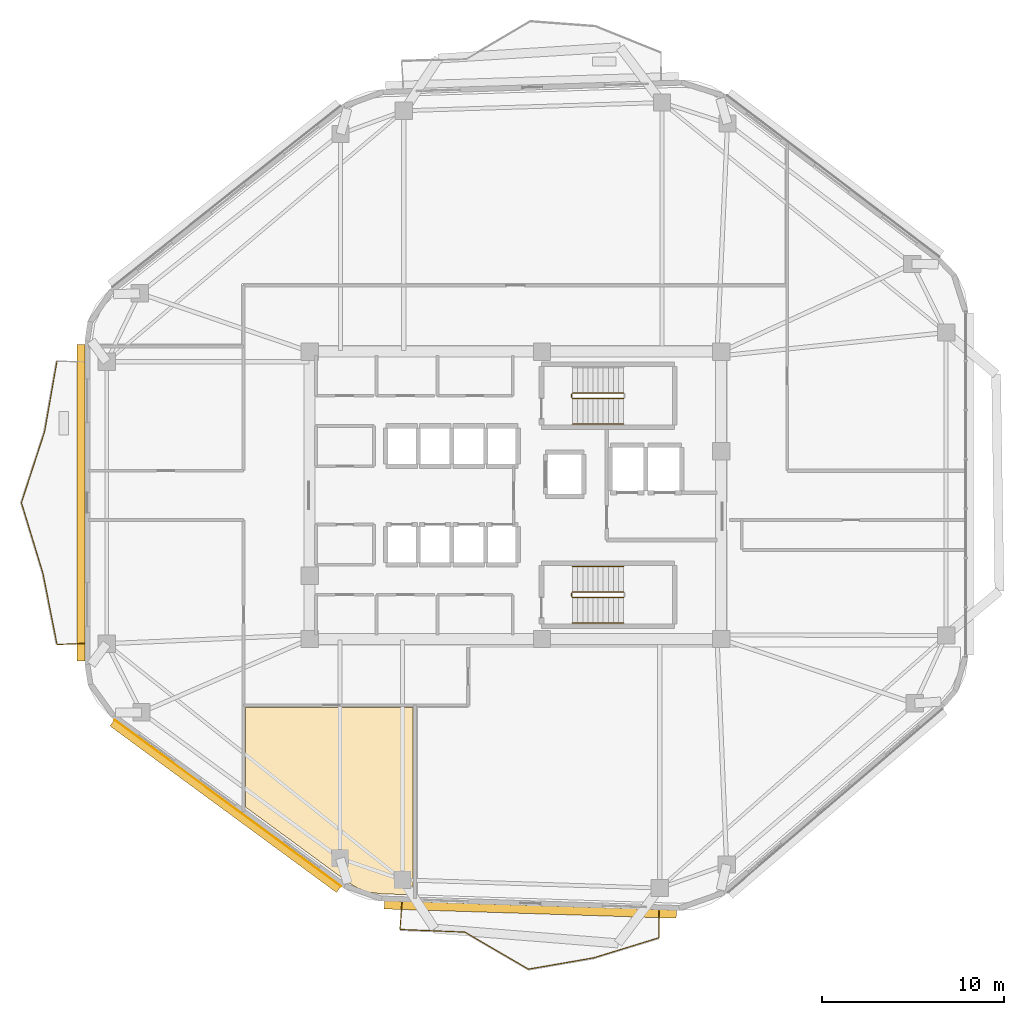
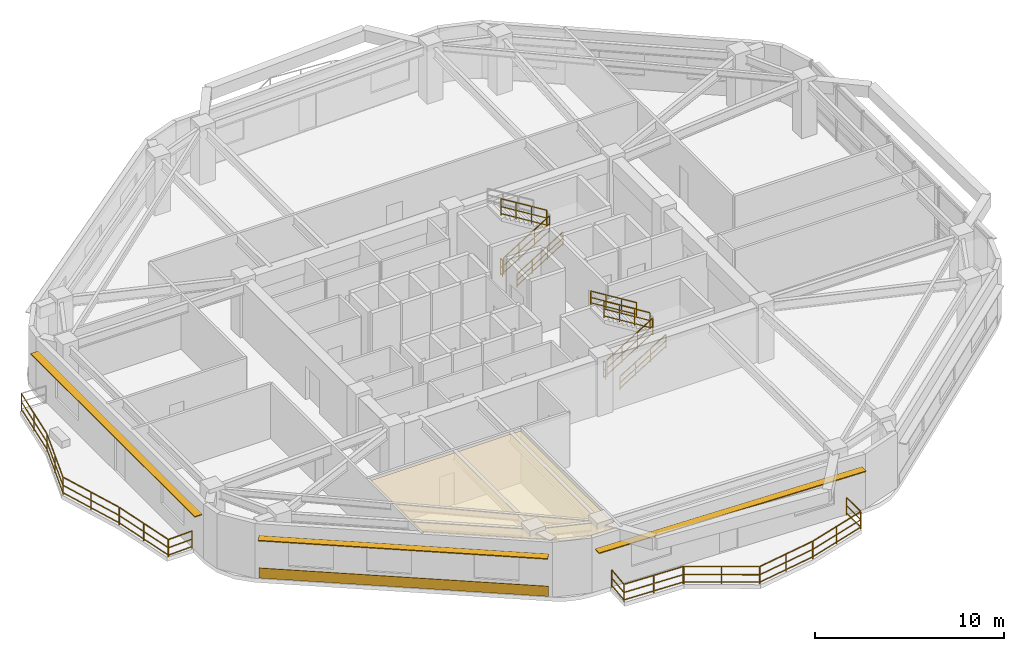
# One storey, part 12 of 14: 20 railings, 3 shading devices, 2 coverings.
"""IFC4 building model written with IfcOpenShell, lengths in metres."""

from ifc_helpers import new_model, si_unit, direction, frame, origin, origin_2d, place, context, subcontext, project, spatial, polyline, rectangle, outline, extrude, material, layer, layer_set, type_object, element, save


model = new_model("IFC4")

# Units and contexts
model_context = context("Model", 3, precision=1e-05, world=origin(), true_north=direction((0.0, 1.0)))
body_context = subcontext(model_context, "Body", "Model", "MODEL_VIEW")
ifc_project = project(units=[si_unit("LENGTHUNIT", "METRE"), si_unit("AREAUNIT", "SQUARE_METRE"), si_unit("VOLUMEUNIT", "CUBIC_METRE"), si_unit("PLANEANGLEUNIT", "RADIAN"), si_unit("MASSUNIT", "GRAM", prefix="KILO")], contexts=[model_context])

# Site, building, storey
site_placement = place(None, origin())
site = spatial("IfcSite", under=ifc_project, at=site_placement, CompositionType="ELEMENT")
building_placement = place(site_placement, origin())
building = spatial("IfcBuilding", under=site, at=building_placement, Name="Zulverin Broadcast Headquarters", CompositionType="ELEMENT")
storey_placement = place(building_placement, frame((0.0, 0.0, 178.199951171875)))
storey = spatial("IfcBuildingStorey", under=building, at=storey_placement, Name="L45", CompositionType="ELEMENT", Elevation=178.199951171875)

# Coverings
ifc_material_1 = material(Name="Perforated pale-metal acoustic baffle ceiling", Category="aluminium")
ifc_layer_1 = layer(ifc_material_1, 0.0400390625, Name="Perforated pale-metal acoustic baffle ceiling", Category="aluminium")
ifc_layer_set_1 = layer_set([ifc_layer_1], Name="Perforated pale-metal acoustic baffle ceiling")
covering_type_1 = type_object("IfcCoveringType", Name="COV-CEIL-ACOU", PredefinedType="CEILING", material=ifc_layer_set_1)
covering_1_placement = place(storey_placement, frame((0.0, 0.0, 3.360107421875)))
element("IfcCovering", 1, at=covering_1_placement, inside=storey, type_object=covering_type_1, Name="L45 Acoustic Baffle Ceiling 02", PredefinedType="CEILING", context=body_context, shape_type="SweptSolid", body=[
    extrude(outline(polyline([(28.39599609375, 3.659912109375), (29.0, 3.447998046875), (29.652099609375, 3.364013671875), (31.3798828125, 3.30810546875), (31.3798828125, 13.580078125), (22.219970703125, 13.580078125), (22.219970703125, 8.112060546875), (27.823974609375, 3.99609375), (28.39599609375, 3.659912109375)])), origin(), (0.0, 0.0, 1.0), 0.0400390625),
])
ifc_material_2 = material(Name="Brushed pale-aluminium rainscreen cladding", Category="aluminium")
ifc_layer_2 = layer(ifc_material_2, 0.0400390625, Name="Brushed pale-aluminium rainscreen cladding", Category="aluminium")
ifc_layer_set_2 = layer_set([ifc_layer_2], Name="Brushed pale-aluminium rainscreen cladding")
covering_type_2 = type_object("IfcCoveringType", Name="COV-CLAD-PALE", PredefinedType="CLADDING", material=ifc_layer_set_2)
covering_2_placement = place(storey_placement, frame((21.229736328125, 8.33349609375, 0.05517578125), z_axis=(0.0, 0.0, 1.0), x_axis=(0.805802206513, -0.592184771822, 0.0)))
element("IfcCovering", 2, at=covering_2_placement, inside=storey, type_object=covering_type_2, Name="L45 Brushed Pale-Aluminium Spandrel Cladding 8", PredefinedType="CLADDING", context=body_context, shape_type="SweptSolid", body=[
    extrude(rectangle(XDim=15.404541015625, YDim=0.0400390625, at=origin_2d()), origin(), (0.0, 0.0, 1.0), 0.64990234375),
])

# Railings
ifc_material_3 = material(Name="Brushed stainless steel & laminated glass balustrade", Category="steel")
railing_type_1 = type_object("IfcRailingType", Name="RL-GUARD-1150", PredefinedType="GUARDRAIL", material=ifc_material_3)
railing_1_placement = place(storey_placement, frame((11.87744140625, 32.558349609375, 0.0)))
element("IfcRailing", 3, at=railing_1_placement, inside=storey, type_object=railing_type_1, Name="L45 Vertical-Forest Balcony Guardrail BAL_W Segment 02", PredefinedType="GUARDRAIL", context=body_context, shape_type="SweptSolid", body=[
    extrude(rectangle(XDim=0.048095703125, YDim=0.048095703125, at=origin_2d()), frame((0.0, 0.0, 1.1259765625), z_axis=(-0.17295328908, -0.984930027868, 0.0), x_axis=(0.984930027868, -0.17295328908, 0.0)), (0.0, 0.0, 1.0), 3.917236328125),
    extrude(rectangle(XDim=0.0419921875, YDim=0.0419921875, at=origin_2d()), frame((0.0, 0.0, 0.597900390625), z_axis=(-0.17295328908, -0.984930027868, 0.0), x_axis=(0.984930027868, -0.17295328908, 0.0)), (0.0, 0.0, 1.0), 3.917236328125),
    extrude(rectangle(XDim=0.0419921875, YDim=0.0419921875, at=origin_2d()), frame((0.0, 0.0, 0.1201171875), z_axis=(-0.17295328908, -0.984930027868, 0.0), x_axis=(0.984930027868, -0.17295328908, 0.0)), (0.0, 0.0, 1.0), 3.917236328125),
    extrude(rectangle(XDim=0.0419921875, YDim=0.0419921875, at=origin_2d()), origin(), (0.0, 0.0, 1.0), 1.101806640625),
    extrude(rectangle(XDim=0.0419921875, YDim=0.0419921875, at=origin_2d()), frame((-0.3388671875, -1.92919921875, 0.0)), (0.0, 0.0, 1.0), 1.101806640625),
    extrude(rectangle(XDim=0.0419921875, YDim=0.0419921875, at=origin_2d()), frame((-0.677490234375, -3.858154296875, 0.0)), (0.0, 0.0, 1.0), 1.101806640625),
])
railing_2_placement = place(storey_placement, frame((11.192626953125, 28.671142578125, 0.0)))
element("IfcRailing", 4, at=railing_2_placement, inside=storey, type_object=railing_type_1, Name="L45 Vertical-Forest Balcony Guardrail BAL_W Segment 03", PredefinedType="GUARDRAIL", context=body_context, shape_type="SweptSolid", body=[
    extrude(rectangle(XDim=0.048095703125, YDim=0.048095703125, at=origin_2d()), frame((0.0, 0.0, 1.1259765625), z_axis=(-0.30994141234, -0.950755657841, 0.0), x_axis=(0.950755657841, -0.30994141234, 0.0)), (0.0, 0.0, 1.0), 4.05908203125),
    extrude(rectangle(XDim=0.0419921875, YDim=0.0419921875, at=origin_2d()), frame((0.0, 0.0, 0.597900390625), z_axis=(-0.30994141234, -0.950755657841, 0.0), x_axis=(0.950755657841, -0.30994141234, 0.0)), (0.0, 0.0, 1.0), 4.05908203125),
    extrude(rectangle(XDim=0.0419921875, YDim=0.0419921875, at=origin_2d()), frame((0.0, 0.0, 0.1201171875), z_axis=(-0.30994141234, -0.950755657841, 0.0), x_axis=(0.950755657841, -0.30994141234, 0.0)), (0.0, 0.0, 1.0), 4.05908203125),
    extrude(rectangle(XDim=0.0419921875, YDim=0.0419921875, at=origin_2d()), origin(), (0.0, 0.0, 1.0), 1.101806640625),
    extrude(rectangle(XDim=0.0419921875, YDim=0.0419921875, at=origin_2d()), frame((-0.62890625, -1.9296875, 0.0)), (0.0, 0.0, 1.0), 1.101806640625),
    extrude(rectangle(XDim=0.0419921875, YDim=0.0419921875, at=origin_2d()), frame((-1.258056640625, -3.859130859375, 0.0)), (0.0, 0.0, 1.0), 1.101806640625),
])
railing_3_placement = place(storey_placement, frame((9.934326171875, 24.783203125, 0.0)))
element("IfcRailing", 5, at=railing_3_placement, inside=storey, type_object=railing_type_1, Name="L45 Vertical-Forest Balcony Guardrail BAL_W Segment 04", PredefinedType="GUARDRAIL", context=body_context, shape_type="SweptSolid", body=[
    extrude(rectangle(XDim=0.048095703125, YDim=0.048095703125, at=origin_2d()), frame((0.0, 0.0, 1.1259765625), z_axis=(0.291115856675, -0.956687805918, 0.0), x_axis=(0.956687805918, 0.291115856675, 0.0)), (0.0, 0.0, 1.0), 4.033935546875),
    extrude(rectangle(XDim=0.0419921875, YDim=0.0419921875, at=origin_2d()), frame((0.0, 0.0, 0.597900390625), z_axis=(0.291115856675, -0.956687805918, 0.0), x_axis=(0.956687805918, 0.291115856675, 0.0)), (0.0, 0.0, 1.0), 4.033935546875),
    extrude(rectangle(XDim=0.0419921875, YDim=0.0419921875, at=origin_2d()), frame((0.0, 0.0, 0.1201171875), z_axis=(0.291115856675, -0.956687805918, 0.0), x_axis=(0.956687805918, 0.291115856675, 0.0)), (0.0, 0.0, 1.0), 4.033935546875),
    extrude(rectangle(XDim=0.0419921875, YDim=0.0419921875, at=origin_2d()), origin(), (0.0, 0.0, 1.0), 1.101806640625),
    extrude(rectangle(XDim=0.0419921875, YDim=0.0419921875, at=origin_2d()), frame((0.587158203125, -1.9296875, 0.0)), (0.0, 0.0, 1.0), 1.101806640625),
    extrude(rectangle(XDim=0.0419921875, YDim=0.0419921875, at=origin_2d()), frame((1.17431640625, -3.859130859375, 0.0)), (0.0, 0.0, 1.0), 1.101806640625),
])
railing_4_placement = place(storey_placement, frame((11.115966796875, 20.89501953125, 0.0)))
element("IfcRailing", 6, at=railing_4_placement, inside=storey, type_object=railing_type_1, Name="L45 Vertical-Forest Balcony Guardrail BAL_W Segment 05", PredefinedType="GUARDRAIL", context=body_context, shape_type="SweptSolid", body=[
    extrude(rectangle(XDim=0.048095703125, YDim=0.048095703125, at=origin_2d()), frame((0.0, 0.0, 1.1259765625), z_axis=(0.193560701303, -0.981088301281, 0.0), x_axis=(0.981088301281, 0.193560701303, 0.0)), (0.0, 0.0, 1.0), 3.932861328125),
    extrude(rectangle(XDim=0.0419921875, YDim=0.0419921875, at=origin_2d()), frame((0.0, 0.0, 0.597900390625), z_axis=(0.193560701303, -0.981088301281, 0.0), x_axis=(0.981088301281, 0.193560701303, 0.0)), (0.0, 0.0, 1.0), 3.932861328125),
    extrude(rectangle(XDim=0.0419921875, YDim=0.0419921875, at=origin_2d()), frame((0.0, 0.0, 0.1201171875), z_axis=(0.193560701303, -0.981088301281, 0.0), x_axis=(0.981088301281, 0.193560701303, 0.0)), (0.0, 0.0, 1.0), 3.932861328125),
    extrude(rectangle(XDim=0.0419921875, YDim=0.0419921875, at=origin_2d()), origin(), (0.0, 0.0, 1.0), 1.101806640625),
    extrude(rectangle(XDim=0.0419921875, YDim=0.0419921875, at=origin_2d()), frame((0.380615234375, -1.92919921875, 0.0)), (0.0, 0.0, 1.0), 1.101806640625),
    extrude(rectangle(XDim=0.0419921875, YDim=0.0419921875, at=origin_2d()), frame((0.76123046875, -3.8583984375, 0.0)), (0.0, 0.0, 1.0), 1.101806640625),
])
railing_5_placement = place(storey_placement, frame((11.89501953125, 17.0224609375, 0.0)))
element("IfcRailing", 7, at=railing_5_placement, inside=storey, type_object=railing_type_1, Name="L45 Vertical-Forest Balcony Guardrail BAL_W Segment 06", PredefinedType="GUARDRAIL", context=body_context, shape_type="SweptSolid", body=[
    extrude(rectangle(XDim=0.048095703125, YDim=0.048095703125, at=origin_2d()), frame((0.0, 0.0, 1.1259765625), z_axis=(0.999181155166, 0.040460093435, 0.0), x_axis=(-0.040460093435, 0.999181155166, 0.0)), (0.0, 0.0, 1.0), 1.46630859375),
    extrude(rectangle(XDim=0.0419921875, YDim=0.0419921875, at=origin_2d()), frame((0.0, 0.0, 0.597900390625), z_axis=(0.999181155166, 0.040460093435, 0.0), x_axis=(-0.040460093435, 0.999181155166, 0.0)), (0.0, 0.0, 1.0), 1.46630859375),
    extrude(rectangle(XDim=0.0419921875, YDim=0.0419921875, at=origin_2d()), frame((0.0, 0.0, 0.1201171875), z_axis=(0.999181155166, 0.040460093435, 0.0), x_axis=(-0.040460093435, 0.999181155166, 0.0)), (0.0, 0.0, 1.0), 1.46630859375),
    extrude(rectangle(XDim=0.0419921875, YDim=0.0419921875, at=origin_2d()), origin(), (0.0, 0.0, 1.0), 1.101806640625),
    extrude(rectangle(XDim=0.0419921875, YDim=0.0419921875, at=origin_2d()), frame((1.465087890625, 0.059326171875, 0.0)), (0.0, 0.0, 1.0), 1.101806640625),
])
railing_6_placement = place(storey_placement, frame((30.779296875, 2.8876953125, 0.0)))
element("IfcRailing", 8, at=railing_6_placement, inside=storey, type_object=railing_type_1, Name="L45 Vertical-Forest Balcony Guardrail BAL_S Segment 01", PredefinedType="GUARDRAIL", context=body_context, shape_type="SweptSolid", body=[
    extrude(rectangle(XDim=0.048095703125, YDim=0.048095703125, at=origin_2d()), frame((0.0, 0.0, 1.1259765625), z_axis=(-0.072276661537, -0.997384621997, 0.0), x_axis=(0.997384621997, -0.072276661537, 0.0)), (0.0, 0.0, 1.0), 1.466064453125),
    extrude(rectangle(XDim=0.0419921875, YDim=0.0419921875, at=origin_2d()), frame((0.0, 0.0, 0.597900390625), z_axis=(-0.072276661537, -0.997384621997, 0.0), x_axis=(0.997384621997, -0.072276661537, 0.0)), (0.0, 0.0, 1.0), 1.466064453125),
    extrude(rectangle(XDim=0.0419921875, YDim=0.0419921875, at=origin_2d()), frame((0.0, 0.0, 0.1201171875), z_axis=(-0.072276661537, -0.997384621997, 0.0), x_axis=(0.997384621997, -0.072276661537, 0.0)), (0.0, 0.0, 1.0), 1.466064453125),
    extrude(rectangle(XDim=0.0419921875, YDim=0.0419921875, at=origin_2d()), origin(), (0.0, 0.0, 1.0), 1.101806640625),
    extrude(rectangle(XDim=0.0419921875, YDim=0.0419921875, at=origin_2d()), frame((-0.10595703125, -1.462158203125, 0.0)), (0.0, 0.0, 1.0), 1.101806640625),
])
railing_7_placement = place(storey_placement, frame((30.687255859375, 1.409912109375, 0.0)))
element("IfcRailing", 9, at=railing_7_placement, inside=storey, type_object=railing_type_1, Name="L45 Vertical-Forest Balcony Guardrail BAL_S Segment 02", PredefinedType="GUARDRAIL", context=body_context, shape_type="SweptSolid", body=[
    extrude(rectangle(XDim=0.048095703125, YDim=0.048095703125, at=origin_2d()), frame((0.0, 0.0, 1.1259765625), z_axis=(0.999180342927, -0.040480147088, 0.0), x_axis=(0.040480147088, 0.999180342927, 0.0)), (0.0, 0.0, 1.0), 3.522216796875),
    extrude(rectangle(XDim=0.0419921875, YDim=0.0419921875, at=origin_2d()), frame((0.0, 0.0, 0.597900390625), z_axis=(0.999180342927, -0.040480147088, 0.0), x_axis=(0.040480147088, 0.999180342927, 0.0)), (0.0, 0.0, 1.0), 3.522216796875),
    extrude(rectangle(XDim=0.0419921875, YDim=0.0419921875, at=origin_2d()), frame((0.0, 0.0, 0.1201171875), z_axis=(0.999180342927, -0.040480147088, 0.0), x_axis=(0.040480147088, 0.999180342927, 0.0)), (0.0, 0.0, 1.0), 3.522216796875),
    extrude(rectangle(XDim=0.0419921875, YDim=0.0419921875, at=origin_2d()), origin(), (0.0, 0.0, 1.0), 1.101806640625),
    extrude(rectangle(XDim=0.0419921875, YDim=0.0419921875, at=origin_2d()), frame((1.759765625, -0.0712890625, 0.0)), (0.0, 0.0, 1.0), 1.101806640625),
    extrude(rectangle(XDim=0.0419921875, YDim=0.0419921875, at=origin_2d()), frame((3.519287109375, -0.142578125, 0.0)), (0.0, 0.0, 1.0), 1.101806640625),
])
railing_8_placement = place(storey_placement, frame((34.234619140625, 1.25927734375, 0.0)))
element("IfcRailing", 10, at=railing_8_placement, inside=storey, type_object=railing_type_1, Name="L45 Vertical-Forest Balcony Guardrail BAL_S Segment 03", PredefinedType="GUARDRAIL", context=body_context, shape_type="SweptSolid", body=[
    extrude(rectangle(XDim=0.048095703125, YDim=0.048095703125, at=origin_2d()), frame((0.0, 0.0, 1.1259765625), z_axis=(0.864286698681, -0.50299950545, 0.0), x_axis=(0.50299950545, 0.864286698681, 0.0)), (0.0, 0.0, 1.0), 4.00732421875),
    extrude(rectangle(XDim=0.0419921875, YDim=0.0419921875, at=origin_2d()), frame((0.0, 0.0, 0.597900390625), z_axis=(0.864286698681, -0.50299950545, 0.0), x_axis=(0.50299950545, 0.864286698681, 0.0)), (0.0, 0.0, 1.0), 4.00732421875),
    extrude(rectangle(XDim=0.0419921875, YDim=0.0419921875, at=origin_2d()), frame((0.0, 0.0, 0.1201171875), z_axis=(0.864286698681, -0.50299950545, 0.0), x_axis=(0.50299950545, 0.864286698681, 0.0)), (0.0, 0.0, 1.0), 4.00732421875),
    extrude(rectangle(XDim=0.0419921875, YDim=0.0419921875, at=origin_2d()), origin(), (0.0, 0.0, 1.0), 1.101806640625),
    extrude(rectangle(XDim=0.0419921875, YDim=0.0419921875, at=origin_2d()), frame((1.731689453125, -1.0078125, 0.0)), (0.0, 0.0, 1.0), 1.101806640625),
    extrude(rectangle(XDim=0.0419921875, YDim=0.0419921875, at=origin_2d()), frame((3.46337890625, -2.015625, 0.0)), (0.0, 0.0, 1.0), 1.101806640625),
])
railing_9_placement = place(storey_placement, frame((37.725830078125, -0.76123046875, 0.0)))
element("IfcRailing", 11, at=railing_9_placement, inside=storey, type_object=railing_type_1, Name="L45 Vertical-Forest Balcony Guardrail BAL_S Segment 04", PredefinedType="GUARDRAIL", context=body_context, shape_type="SweptSolid", body=[
    extrude(rectangle(XDim=0.048095703125, YDim=0.048095703125, at=origin_2d()), frame((0.0, 0.0, 1.1259765625), z_axis=(0.985332074054, 0.170647894335, 0.0), x_axis=(-0.170647894335, 0.985332074054, 0.0)), (0.0, 0.0, 1.0), 3.5966796875),
    extrude(rectangle(XDim=0.0419921875, YDim=0.0419921875, at=origin_2d()), frame((0.0, 0.0, 0.597900390625), z_axis=(0.985332074054, 0.170647894335, 0.0), x_axis=(-0.170647894335, 0.985332074054, 0.0)), (0.0, 0.0, 1.0), 3.5966796875),
    extrude(rectangle(XDim=0.0419921875, YDim=0.0419921875, at=origin_2d()), frame((0.0, 0.0, 0.1201171875), z_axis=(0.985332074054, 0.170647894335, 0.0), x_axis=(-0.170647894335, 0.985332074054, 0.0)), (0.0, 0.0, 1.0), 3.5966796875),
    extrude(rectangle(XDim=0.0419921875, YDim=0.0419921875, at=origin_2d()), origin(), (0.0, 0.0, 1.0), 1.101806640625),
    extrude(rectangle(XDim=0.0419921875, YDim=0.0419921875, at=origin_2d()), frame((1.77197265625, 0.306884765625, 0.0)), (0.0, 0.0, 1.0), 1.101806640625),
    extrude(rectangle(XDim=0.0419921875, YDim=0.0419921875, at=origin_2d()), frame((3.5439453125, 0.61376953125, 0.0)), (0.0, 0.0, 1.0), 1.101806640625),
])
railing_10_placement = place(storey_placement, frame((41.298828125, -0.140380859375, 0.0)))
element("IfcRailing", 12, at=railing_10_placement, inside=storey, type_object=railing_type_1, Name="L45 Vertical-Forest Balcony Guardrail BAL_S Segment 05", PredefinedType="GUARDRAIL", context=body_context, shape_type="SweptSolid", body=[
    extrude(rectangle(XDim=0.048095703125, YDim=0.048095703125, at=origin_2d()), frame((0.0, 0.0, 1.1259765625), z_axis=(0.955743575733, 0.29420098138, 0.0), x_axis=(-0.29420098138, 0.955743575733, 0.0)), (0.0, 0.0, 1.0), 3.72509765625),
    extrude(rectangle(XDim=0.0419921875, YDim=0.0419921875, at=origin_2d()), frame((0.0, 0.0, 0.597900390625), z_axis=(0.955743575733, 0.29420098138, 0.0), x_axis=(-0.29420098138, 0.955743575733, 0.0)), (0.0, 0.0, 1.0), 3.72509765625),
    extrude(rectangle(XDim=0.0419921875, YDim=0.0419921875, at=origin_2d()), frame((0.0, 0.0, 0.1201171875), z_axis=(0.955743575733, 0.29420098138, 0.0), x_axis=(-0.29420098138, 0.955743575733, 0.0)), (0.0, 0.0, 1.0), 3.72509765625),
    extrude(rectangle(XDim=0.0419921875, YDim=0.0419921875, at=origin_2d()), origin(), (0.0, 0.0, 1.0), 1.101806640625),
    extrude(rectangle(XDim=0.0419921875, YDim=0.0419921875, at=origin_2d()), frame((1.7802734375, 0.5478515625, 0.0)), (0.0, 0.0, 1.0), 1.101806640625),
    extrude(rectangle(XDim=0.0419921875, YDim=0.0419921875, at=origin_2d()), frame((3.560302734375, 1.095947265625, 0.0)), (0.0, 0.0, 1.0), 1.101806640625),
])
railing_11_placement = place(storey_placement, frame((44.873291015625, 0.97509765625, 0.0)))
element("IfcRailing", 13, at=railing_11_placement, inside=storey, type_object=railing_type_1, Name="L45 Vertical-Forest Balcony Guardrail BAL_S Segment 06", PredefinedType="GUARDRAIL", context=body_context, shape_type="SweptSolid", body=[
    extrude(rectangle(XDim=0.048095703125, YDim=0.048095703125, at=origin_2d()), frame((0.0, 0.0, 1.1259765625), z_axis=(-0.008659125807, 0.999962509067, 0.0), x_axis=(-0.999962509067, -0.008659125807, 0.0)), (0.0, 0.0, 1.0), 1.466064453125),
    extrude(rectangle(XDim=0.0419921875, YDim=0.0419921875, at=origin_2d()), frame((0.0, 0.0, 0.597900390625), z_axis=(-0.008659125807, 0.999962509067, 0.0), x_axis=(-0.999962509067, -0.008659125807, 0.0)), (0.0, 0.0, 1.0), 1.466064453125),
    extrude(rectangle(XDim=0.0419921875, YDim=0.0419921875, at=origin_2d()), frame((0.0, 0.0, 0.1201171875), z_axis=(-0.008659125807, 0.999962509067, 0.0), x_axis=(-0.999962509067, -0.008659125807, 0.0)), (0.0, 0.0, 1.0), 1.466064453125),
    extrude(rectangle(XDim=0.0419921875, YDim=0.0419921875, at=origin_2d()), origin(), (0.0, 0.0, 1.0), 1.101806640625),
    extrude(rectangle(XDim=0.0419921875, YDim=0.0419921875, at=origin_2d()), frame((-0.0126953125, 1.466064453125, 0.0)), (0.0, 0.0, 1.0), 1.101806640625),
])
ifc_material_4 = material(Name="Painted galvanized steel tubular guardrail S355JR", Category="steel")
railing_type_2 = type_object("IfcRailingType", Name="RL-ST-GUARD", PredefinedType="GUARDRAIL", material=ifc_material_4)
railing_12_placement = place(storey_placement, frame((40.1298828125, 30.5, 0.1728515625)))
element("IfcRailing", 14, at=railing_12_placement, inside=storey, type_object=railing_type_2, Name="L45 ST-1 stair guard 1", PredefinedType="GUARDRAIL", context=body_context, shape_type="SweptSolid", body=[
    extrude(rectangle(XDim=0.048095703125, YDim=0.048095703125, at=origin_2d()), frame((0.0, 0.0, 1.076171875), z_axis=(0.851089632645, 0.0, 0.525020415988), x_axis=(0.0, 1.0, 0.0)), (0.0, 0.0, 1.0), 3.2900390625),
    extrude(rectangle(XDim=0.0419921875, YDim=0.0419921875, at=origin_2d()), frame((0.0, 0.0, 0.572021484375), z_axis=(0.851089632645, 0.0, 0.525020415988), x_axis=(0.0, 1.0, 0.0)), (0.0, 0.0, 1.0), 3.2900390625),
    extrude(rectangle(XDim=0.0419921875, YDim=0.0419921875, at=origin_2d()), frame((0.0, 0.0, 0.1201171875), z_axis=(0.851089632645, 0.0, 0.525020415988), x_axis=(0.0, 1.0, 0.0)), (0.0, 0.0, 1.0), 3.2900390625),
    extrude(rectangle(XDim=0.0419921875, YDim=0.0419921875, at=origin_2d()), origin(), (0.0, 0.0, 1.0), 1.052001953125),
    extrude(rectangle(XDim=0.0419921875, YDim=0.0419921875, at=origin_2d()), frame((0.933349609375, 0.0, 0.57568359375)), (0.0, 0.0, 1.0), 1.052001953125),
    extrude(rectangle(XDim=0.0419921875, YDim=0.0419921875, at=origin_2d()), frame((1.86669921875, 0.0, 1.151611328125)), (0.0, 0.0, 1.0), 1.052001953125),
    extrude(rectangle(XDim=0.0419921875, YDim=0.0419921875, at=origin_2d()), frame((2.800048828125, 0.0, 1.727294921875)), (0.0, 0.0, 1.0), 1.052001953125),
])
railing_13_placement = place(storey_placement, frame((42.929931640625, 30.800048828125, 2.07275390625)))
element("IfcRailing", 15, at=railing_13_placement, inside=storey, type_object=railing_type_2, Name="L45 ST-1 stair guard 3", PredefinedType="GUARDRAIL", context=body_context, shape_type="SweptSolid", body=[
    extrude(rectangle(XDim=0.048095703125, YDim=0.048095703125, at=origin_2d()), frame((0.0, 0.0, 1.076171875), z_axis=(-0.851089632645, 0.0, 0.525020415988), x_axis=(0.0, -1.0, 0.0)), (0.0, 0.0, 1.0), 3.2900390625),
    extrude(rectangle(XDim=0.0419921875, YDim=0.0419921875, at=origin_2d()), frame((0.0, 0.0, 0.572021484375), z_axis=(-0.851089632645, 0.0, 0.525020415988), x_axis=(0.0, -1.0, 0.0)), (0.0, 0.0, 1.0), 3.2900390625),
    extrude(rectangle(XDim=0.0419921875, YDim=0.0419921875, at=origin_2d()), frame((0.0, 0.0, 0.1201171875), z_axis=(-0.851089632645, 0.0, 0.525020415988), x_axis=(0.0, -1.0, 0.0)), (0.0, 0.0, 1.0), 3.2900390625),
    extrude(rectangle(XDim=0.0419921875, YDim=0.0419921875, at=origin_2d()), origin(), (0.0, 0.0, 1.0), 1.052001953125),
    extrude(rectangle(XDim=0.0419921875, YDim=0.0419921875, at=origin_2d()), frame((-0.933349609375, 0.0, 0.57568359375)), (0.0, 0.0, 1.0), 1.052001953125),
    extrude(rectangle(XDim=0.0419921875, YDim=0.0419921875, at=origin_2d()), frame((-1.86669921875, 0.0, 1.151611328125)), (0.0, 0.0, 1.0), 1.052001953125),
    extrude(rectangle(XDim=0.0419921875, YDim=0.0419921875, at=origin_2d()), frame((-2.800048828125, 0.0, 1.727294921875)), (0.0, 0.0, 1.0), 1.052001953125),
])
railing_14_placement = place(storey_placement, frame((40.080078125, 30.550048828125, 0.0)))
element("IfcRailing", 16, at=railing_14_placement, inside=storey, type_object=railing_type_2, Name="L45 ST-1 stair guard 4", PredefinedType="GUARDRAIL", context=body_context, shape_type="SweptSolid", body=[
    extrude(rectangle(XDim=0.048095703125, YDim=0.048095703125, at=origin_2d()), frame((0.0, 0.0, 1.076171875), z_axis=(0.0, 1.0, 0.0), x_axis=(-1.0, 0.0, 0.0)), (0.0, 0.0, 1.0), 0.199951171875),
    extrude(rectangle(XDim=0.0419921875, YDim=0.0419921875, at=origin_2d()), frame((0.0, 0.0, 0.572021484375), z_axis=(0.0, 1.0, 0.0), x_axis=(-1.0, 0.0, 0.0)), (0.0, 0.0, 1.0), 0.199951171875),
    extrude(rectangle(XDim=0.0419921875, YDim=0.0419921875, at=origin_2d()), frame((0.0, 0.0, 0.1201171875), z_axis=(0.0, 1.0, 0.0), x_axis=(-1.0, 0.0, 0.0)), (0.0, 0.0, 1.0), 0.199951171875),
    extrude(rectangle(XDim=0.0419921875, YDim=0.0419921875, at=origin_2d()), origin(), (0.0, 0.0, 1.0), 1.052001953125),
    extrude(rectangle(XDim=0.0419921875, YDim=0.0419921875, at=origin_2d()), frame((0.0, 0.199951171875, 0.0)), (0.0, 0.0, 1.0), 1.052001953125),
])
railing_15_placement = place(storey_placement, frame((40.1298828125, 19.60009765625, 0.1728515625)))
element("IfcRailing", 17, at=railing_15_placement, inside=storey, type_object=railing_type_2, Name="L45 ST-2 stair guard 1", PredefinedType="GUARDRAIL", context=body_context, shape_type="SweptSolid", body=[
    extrude(rectangle(XDim=0.048095703125, YDim=0.048095703125, at=origin_2d()), frame((0.0, 0.0, 1.076171875), z_axis=(0.851089632645, 0.0, 0.525020415988), x_axis=(0.0, 1.0, 0.0)), (0.0, 0.0, 1.0), 3.2900390625),
    extrude(rectangle(XDim=0.0419921875, YDim=0.0419921875, at=origin_2d()), frame((0.0, 0.0, 0.572021484375), z_axis=(0.851089632645, 0.0, 0.525020415988), x_axis=(0.0, 1.0, 0.0)), (0.0, 0.0, 1.0), 3.2900390625),
    extrude(rectangle(XDim=0.0419921875, YDim=0.0419921875, at=origin_2d()), frame((0.0, 0.0, 0.1201171875), z_axis=(0.851089632645, 0.0, 0.525020415988), x_axis=(0.0, 1.0, 0.0)), (0.0, 0.0, 1.0), 3.2900390625),
    extrude(rectangle(XDim=0.0419921875, YDim=0.0419921875, at=origin_2d()), origin(), (0.0, 0.0, 1.0), 1.052001953125),
    extrude(rectangle(XDim=0.0419921875, YDim=0.0419921875, at=origin_2d()), frame((0.933349609375, 0.0, 0.57568359375)), (0.0, 0.0, 1.0), 1.052001953125),
    extrude(rectangle(XDim=0.0419921875, YDim=0.0419921875, at=origin_2d()), frame((1.86669921875, 0.0, 1.151611328125)), (0.0, 0.0, 1.0), 1.052001953125),
    extrude(rectangle(XDim=0.0419921875, YDim=0.0419921875, at=origin_2d()), frame((2.800048828125, 0.0, 1.727294921875)), (0.0, 0.0, 1.0), 1.052001953125),
])
railing_16_placement = place(storey_placement, frame((42.929931640625, 19.89990234375, 2.07275390625)))
element("IfcRailing", 18, at=railing_16_placement, inside=storey, type_object=railing_type_2, Name="L45 ST-2 stair guard 3", PredefinedType="GUARDRAIL", context=body_context, shape_type="SweptSolid", body=[
    extrude(rectangle(XDim=0.048095703125, YDim=0.048095703125, at=origin_2d()), frame((0.0, 0.0, 1.076171875), z_axis=(-0.851089632645, 0.0, 0.525020415988), x_axis=(0.0, -1.0, 0.0)), (0.0, 0.0, 1.0), 3.2900390625),
    extrude(rectangle(XDim=0.0419921875, YDim=0.0419921875, at=origin_2d()), frame((0.0, 0.0, 0.572021484375), z_axis=(-0.851089632645, 0.0, 0.525020415988), x_axis=(0.0, -1.0, 0.0)), (0.0, 0.0, 1.0), 3.2900390625),
    extrude(rectangle(XDim=0.0419921875, YDim=0.0419921875, at=origin_2d()), frame((0.0, 0.0, 0.1201171875), z_axis=(-0.851089632645, 0.0, 0.525020415988), x_axis=(0.0, -1.0, 0.0)), (0.0, 0.0, 1.0), 3.2900390625),
    extrude(rectangle(XDim=0.0419921875, YDim=0.0419921875, at=origin_2d()), origin(), (0.0, 0.0, 1.0), 1.052001953125),
    extrude(rectangle(XDim=0.0419921875, YDim=0.0419921875, at=origin_2d()), frame((-0.933349609375, 0.0, 0.57568359375)), (0.0, 0.0, 1.0), 1.052001953125),
    extrude(rectangle(XDim=0.0419921875, YDim=0.0419921875, at=origin_2d()), frame((-1.86669921875, 0.0, 1.151611328125)), (0.0, 0.0, 1.0), 1.052001953125),
    extrude(rectangle(XDim=0.0419921875, YDim=0.0419921875, at=origin_2d()), frame((-2.800048828125, 0.0, 1.727294921875)), (0.0, 0.0, 1.0), 1.052001953125),
])
railing_17_placement = place(storey_placement, frame((40.080078125, 19.64990234375, 0.0)))
element("IfcRailing", 19, at=railing_17_placement, inside=storey, type_object=railing_type_2, Name="L45 ST-2 stair guard 4", PredefinedType="GUARDRAIL", context=body_context, shape_type="SweptSolid", body=[
    extrude(rectangle(XDim=0.048095703125, YDim=0.048095703125, at=origin_2d()), frame((0.0, 0.0, 1.076171875), z_axis=(0.0, 1.0, 0.0), x_axis=(-1.0, 0.0, 0.0)), (0.0, 0.0, 1.0), 0.2001953125),
    extrude(rectangle(XDim=0.0419921875, YDim=0.0419921875, at=origin_2d()), frame((0.0, 0.0, 0.572021484375), z_axis=(0.0, 1.0, 0.0), x_axis=(-1.0, 0.0, 0.0)), (0.0, 0.0, 1.0), 0.2001953125),
    extrude(rectangle(XDim=0.0419921875, YDim=0.0419921875, at=origin_2d()), frame((0.0, 0.0, 0.1201171875), z_axis=(0.0, 1.0, 0.0), x_axis=(-1.0, 0.0, 0.0)), (0.0, 0.0, 1.0), 0.2001953125),
    extrude(rectangle(XDim=0.0419921875, YDim=0.0419921875, at=origin_2d()), origin(), (0.0, 0.0, 1.0), 1.052001953125),
    extrude(rectangle(XDim=0.0419921875, YDim=0.0419921875, at=origin_2d()), frame((0.0, 0.2001953125, 0.0)), (0.0, 0.0, 1.0), 1.052001953125),
])
ifc_material_5 = material(Name="Brushed stainless steel 48 mm handrail", Category="steel")
railing_type_3 = type_object("IfcRailingType", Name="RL-ST-HAND", PredefinedType="HANDRAIL", material=ifc_material_5)
for number, where, name in (
    (20, (40.1298828125, 29.10009765625, 0.1728515625), "L45 ST-1 stair handrail 1"),
    (21, (40.1298828125, 18.199951171875, 0.1728515625), "L45 ST-2 stair handrail 1"),
):
    element("IfcRailing", number, at=place(storey_placement, frame(where)), inside=storey, type_object=railing_type_3, Name=name, PredefinedType="HANDRAIL", context=body_context, shape_type="SweptSolid", body=[
        extrude(rectangle(XDim=0.048095703125, YDim=0.048095703125, at=origin_2d()), frame((0.0, 0.0, 0.8759765625), z_axis=(0.851089632645, 0.0, 0.525020415988), x_axis=(0.0, 1.0, 0.0)), (0.0, 0.0, 1.0), 3.2900390625),
        extrude(rectangle(XDim=0.0419921875, YDim=0.0419921875, at=origin_2d()), frame((0.0, 0.0, 0.468017578125), z_axis=(0.851089632645, 0.0, 0.525020415988), x_axis=(0.0, 1.0, 0.0)), (0.0, 0.0, 1.0), 3.2900390625),
        extrude(rectangle(XDim=0.0419921875, YDim=0.0419921875, at=origin_2d()), frame((0.0, 0.0, 0.1201171875), z_axis=(0.851089632645, 0.0, 0.525020415988), x_axis=(0.0, 1.0, 0.0)), (0.0, 0.0, 1.0), 3.2900390625),
        extrude(rectangle(XDim=0.0419921875, YDim=0.0419921875, at=origin_2d()), origin(), (0.0, 0.0, 1.0), 0.851806640625),
        extrude(rectangle(XDim=0.0419921875, YDim=0.0419921875, at=origin_2d()), frame((0.933349609375, 0.0, 0.57568359375)), (0.0, 0.0, 1.0), 0.851806640625),
        extrude(rectangle(XDim=0.0419921875, YDim=0.0419921875, at=origin_2d()), frame((1.86669921875, 0.0, 1.151611328125)), (0.0, 0.0, 1.0), 0.851806640625),
        extrude(rectangle(XDim=0.0419921875, YDim=0.0419921875, at=origin_2d()), frame((2.800048828125, 0.0, 1.727294921875)), (0.0, 0.0, 1.0), 0.851806640625),
    ])
railing_18_placement = place(storey_placement, frame((42.929931640625, 21.300048828125, 2.07275390625)))
element("IfcRailing", 22, at=railing_18_placement, inside=storey, type_object=railing_type_3, Name="L45 ST-2 stair handrail 2", PredefinedType="HANDRAIL", context=body_context, shape_type="SweptSolid", body=[
    extrude(rectangle(XDim=0.048095703125, YDim=0.048095703125, at=origin_2d()), frame((0.0, 0.0, 0.8759765625), z_axis=(-0.851089632645, 0.0, 0.525020415988), x_axis=(0.0, -1.0, 0.0)), (0.0, 0.0, 1.0), 3.2900390625),
    extrude(rectangle(XDim=0.0419921875, YDim=0.0419921875, at=origin_2d()), frame((0.0, 0.0, 0.468017578125), z_axis=(-0.851089632645, 0.0, 0.525020415988), x_axis=(0.0, -1.0, 0.0)), (0.0, 0.0, 1.0), 3.2900390625),
    extrude(rectangle(XDim=0.0419921875, YDim=0.0419921875, at=origin_2d()), frame((0.0, 0.0, 0.1201171875), z_axis=(-0.851089632645, 0.0, 0.525020415988), x_axis=(0.0, -1.0, 0.0)), (0.0, 0.0, 1.0), 3.2900390625),
    extrude(rectangle(XDim=0.0419921875, YDim=0.0419921875, at=origin_2d()), origin(), (0.0, 0.0, 1.0), 0.851806640625),
    extrude(rectangle(XDim=0.0419921875, YDim=0.0419921875, at=origin_2d()), frame((-0.933349609375, 0.0, 0.57568359375)), (0.0, 0.0, 1.0), 0.851806640625),
    extrude(rectangle(XDim=0.0419921875, YDim=0.0419921875, at=origin_2d()), frame((-1.86669921875, 0.0, 1.151611328125)), (0.0, 0.0, 1.0), 0.851806640625),
    extrude(rectangle(XDim=0.0419921875, YDim=0.0419921875, at=origin_2d()), frame((-2.800048828125, 0.0, 1.727294921875)), (0.0, 0.0, 1.0), 0.851806640625),
])

# Shading devices
ifc_material_6 = material(Name="Anodized pale-metal aluminium sunshade", Category="aluminium")
ifc_layer_3 = layer(ifc_material_6, 0.06005859375, Name="Anodized pale-metal aluminium sunshade", Category="aluminium")
ifc_layer_set_3 = layer_set([ifc_layer_3], Name="Anodized pale-metal aluminium sunshade")
shading_device_type = type_object("IfcShadingDeviceType", Name="SS-01_PALE_METAL_ALUMINIUM_SUNSHADE", PredefinedType="USERDEFINED", material=ifc_layer_set_3)
shading_device_1_placement = place(storey_placement, frame((37.814697265625, 2.504638671875, 2.7099609375), z_axis=(0.0, 0.0, 1.0), x_axis=(0.999497141269, -0.031709061709, 0.0)))
element("IfcShadingDevice", 23, at=shading_device_1_placement, inside=storey, type_object=shading_device_type, Name="L45 Horizontal Pale-Metal Sunshade Band 1", ObjectType="SUNSHADE", PredefinedType="USERDEFINED", context=body_context, shape_type="SweptSolid", body=[
    extrude(rectangle(XDim=16.00830078125, YDim=0.449951171875, at=origin_2d()), origin(), (0.0, 0.0, 1.0), 0.06005859375),
])
shading_device_2_placement = place(storey_placement, frame((13.199951171875, 24.797607421875, 2.7099609375), z_axis=(0.0, 0.0, 1.0), x_axis=(0.0, -1.0, 0.0)))
element("IfcShadingDevice", 24, at=shading_device_2_placement, inside=storey, type_object=shading_device_type, Name="L45 Horizontal Pale-Metal Sunshade Band 7", ObjectType="SUNSHADE", PredefinedType="USERDEFINED", context=body_context, shape_type="SweptSolid", body=[
    extrude(rectangle(XDim=17.351318359375, YDim=0.449951171875, at=origin_2d()), origin(), (0.0, 0.0, 1.0), 0.06005859375),
])
shading_device_3_placement = place(storey_placement, frame((21.1171875, 8.180419921875, 2.7099609375), z_axis=(0.0, 0.0, 1.0), x_axis=(0.805802206513, -0.592184771822, 0.0)))
element("IfcShadingDevice", 25, at=shading_device_3_placement, inside=storey, type_object=shading_device_type, Name="L45 Horizontal Pale-Metal Sunshade Band 8", ObjectType="SUNSHADE", PredefinedType="USERDEFINED", context=body_context, shape_type="SweptSolid", body=[
    extrude(rectangle(XDim=15.404541015625, YDim=0.449951171875, at=origin_2d()), origin(), (0.0, 0.0, 1.0), 0.06005859375),
])

save(model, "model.ifc")
